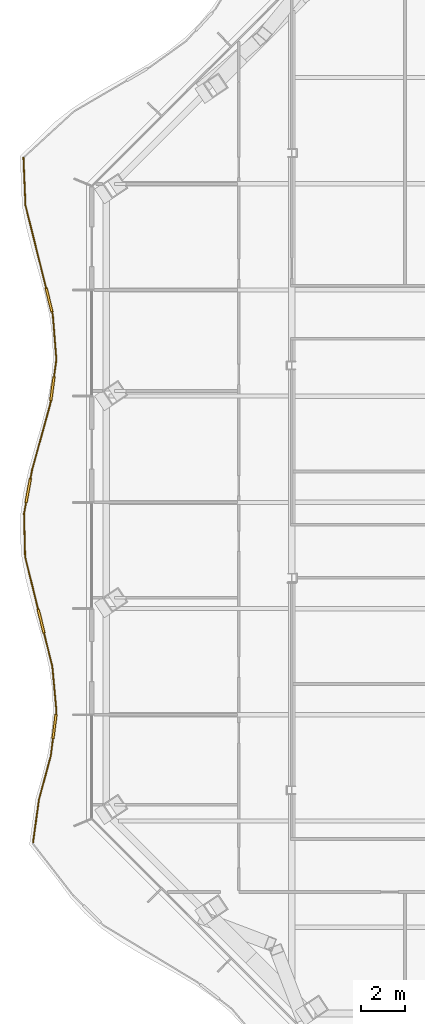
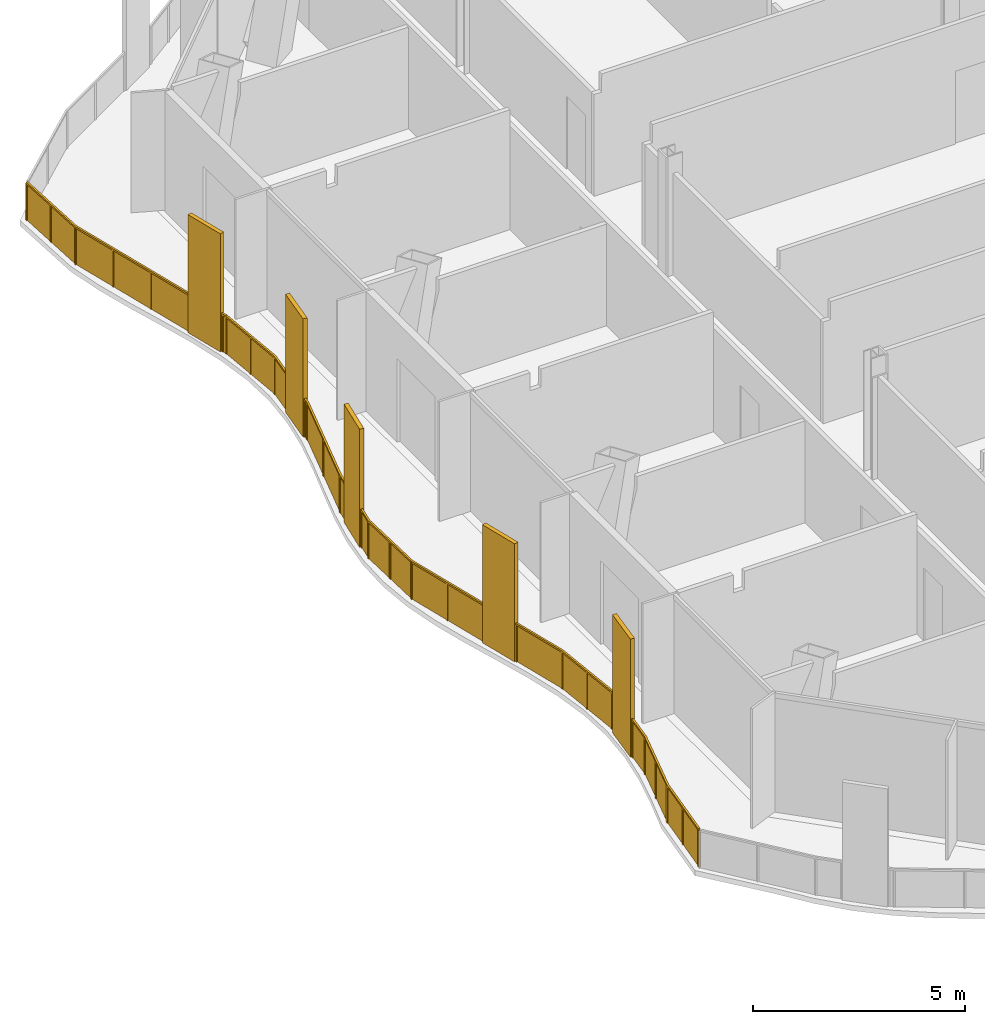
# One storey, part 16 of 22: 1 railing.
"""IFC4 building model written with IfcOpenShell, lengths in metres."""

import ifcopenshell
import ifcopenshell.guid

model = None  # the IFC model being written
_history = None  # IfcOwnerHistory: only IFC2X3 demands one
_inside = {}  # id of a spatial element -> (the spatial element, [elements in it])
_under = {}  # id of a project, library or spatial element -> (it, [spatial elements below it])
_declared = {}  # id of a project -> (the project, [libraries it declares])
_typed = {}  # id of a type object -> (the type object, [elements of that type])
_made_of = {}  # id of a material, layer set ... -> (it, [elements and type objects made of it])


def new_model(schema):
    """Start an empty IFC model of exactly this schema.

    Asked for "IFC4X3", IfcOpenShell would pick the latest addendum, in which some entities
    have other attributes; the version numbers below select the first issue.
    IFC2X3 requires an IfcOwnerHistory on every rooted entity: one is made here for all.
    """
    global model, _history
    if schema == "IFC4X3":
        model = ifcopenshell.file(schema_version=(4, 3, 0, 0))
    else:
        model = ifcopenshell.file(schema=schema)
    _inside.clear()
    _under.clear()
    _declared.clear()
    _typed.clear()
    _made_of.clear()
    _history = None
    if model.schema == "IFC2X3":
        org = make("IfcOrganization", Name="unknown")
        user = make(
            "IfcPersonAndOrganization",
            ThePerson=make("IfcPerson", FamilyName="unknown"),
            TheOrganization=org,
        )
        app = make(
            "IfcApplication",
            ApplicationDeveloper=org,
            Version="unknown",
            ApplicationFullName="unknown",
            ApplicationIdentifier="unknown",
        )
        _history = make(
            "IfcOwnerHistory",
            OwningUser=user,
            OwningApplication=app,
            ChangeAction="ADDED",
            CreationDate=0,
        )
    return model


def make(cls, **values):
    """One entity of the class cls with the attributes given. An attribute that is None is left unset."""
    return model.create_entity(
        cls, **{name: value for name, value in values.items() if value is not None}
    )


def rooted(cls, **values):
    """An entity with a GlobalId (a new one), such as an element, a storey or a relation."""
    return make(cls, GlobalId=ifcopenshell.guid.new(), OwnerHistory=_history, **values)


def si_unit(unit_type, name, prefix=None):
    """IfcSIUnit, for example si_unit("LENGTHUNIT", "METRE", prefix="MILLI")."""
    return make("IfcSIUnit", UnitType=unit_type, Prefix=prefix, Name=name)


def assignment(units):
    """IfcUnitAssignment: the units of a project."""
    return None if units is None else make("IfcUnitAssignment", Units=units)


def point(xyz):
    """IfcCartesianPoint."""
    return None if xyz is None else make("IfcCartesianPoint", Coordinates=xyz)


def direction(xyz):
    """IfcDirection."""
    return None if xyz is None else make("IfcDirection", DirectionRatios=xyz)


def frame(location, z_axis=None, x_axis=None):
    """IfcAxis2Placement3D, a coordinate frame: its origin and axes. An axis left out is left unset."""
    return make(
        "IfcAxis2Placement3D",
        Location=point(location),
        Axis=direction(z_axis),
        RefDirection=direction(x_axis),
    )


def frame_2d(location, x_axis=None):
    """IfcAxis2Placement2D, a coordinate frame in the plane: its origin and x axis."""
    return make(
        "IfcAxis2Placement2D", Location=point(location), RefDirection=direction(x_axis)
    )


def origin():
    """The frame at (0, 0, 0) with its axes left unset."""
    return frame((0.0, 0.0, 0.0))


def origin_2d():
    """The frame at (0, 0) in the plane with its x axis left unset."""
    return frame_2d((0.0, 0.0))


def place(relative_to, where):
    """IfcLocalPlacement: puts the frame where relative to a parent placement (None: the world)."""
    return make(
        "IfcLocalPlacement", PlacementRelTo=relative_to, RelativePlacement=where
    )


def context(
    kind, dimensions, precision=None, world=None, true_north=None, identifier=None
):
    """IfcGeometricRepresentationContext, for example the 3D "Model" context."""
    return make(
        "IfcGeometricRepresentationContext",
        ContextIdentifier=identifier,
        ContextType=kind,
        CoordinateSpaceDimension=dimensions,
        Precision=precision,
        WorldCoordinateSystem=world,
        TrueNorth=true_north,
    )


def subcontext(parent, identifier, kind, view, scale=None):
    """IfcGeometricRepresentationSubContext, for example "Body" below "Model"."""
    return make(
        "IfcGeometricRepresentationSubContext",
        ContextIdentifier=identifier,
        ContextType=kind,
        ParentContext=parent,
        TargetScale=scale,
        TargetView=view,
    )


def project(units=None, contexts=None):
    """IfcProject with its units and contexts."""
    return rooted(
        "IfcProject",
        Name="project",
        RepresentationContexts=contexts,
        UnitsInContext=assignment(units),
    )


def spatial(cls, under=None, at=None, **own):
    """A site, building, storey or space (cls), placed at a placement, below another one or the project."""
    s = rooted(cls, ObjectPlacement=at, **own)
    if under is not None:
        _under.setdefault(under.id(), (under, []))[1].append(s)
    return s


def polyline(points):
    """IfcPolyline through the points."""
    return make("IfcPolyline", Points=[point(p) for p in points])


def profile(cls, at=None, kind="AREA", **sizes):
    """A parametric profile (cls). Its sizes go by their IFC names, for example OverallWidth=200.0."""
    return make(cls, ProfileType=kind, Position=at, **sizes)


def rectangle(**sizes):
    """IfcRectangleProfileDef."""
    return profile("IfcRectangleProfileDef", **sizes)


def outline(outer, holes=None, kind="AREA"):
    """IfcArbitraryClosedProfileDef: a profile drawn as a closed curve; with holes, ...WithVoids."""
    if holes is None:
        return make("IfcArbitraryClosedProfileDef", ProfileType=kind, OuterCurve=outer)
    return make(
        "IfcArbitraryProfileDefWithVoids",
        ProfileType=kind,
        OuterCurve=outer,
        InnerCurves=holes,
    )


def extrude(swept, where, along, depth):
    """IfcExtrudedAreaSolid: the profile swept, set in the frame where, extruded along a direction by depth."""
    return make(
        "IfcExtrudedAreaSolid",
        SweptArea=swept,
        Position=where,
        ExtrudedDirection=direction(along),
        Depth=depth,
    )


def shape(context_of_items, identifier, shape_type, items):
    """IfcShapeRepresentation: the items that make up one representation, for example the "Body"."""
    return make(
        "IfcShapeRepresentation",
        ContextOfItems=context_of_items,
        RepresentationIdentifier=identifier,
        RepresentationType=shape_type,
        Items=items,
    )


def material(Name=None, Category=None):
    """IfcMaterial."""
    return make("IfcMaterial", Name=Name, Category=Category)


def made_of(thing, what):
    """Note that an element or type object is made of a material, layer set ...; save() writes the relation."""
    if what is not None:
        _made_of.setdefault(what.id(), (what, []))[1].append(thing)
    return thing


def type_object(cls, material=None, **own):
    """A type object (cls), such as IfcWallType, which elements share."""
    return made_of(rooted(cls, **own), material)


def element(
    cls,
    number,
    at=None,
    inside=None,
    cuts=None,
    type_object=None,
    material=None,
    context=None,
    identifier="Body",
    shape_type=None,
    held_by="IfcProductDefinitionShape",
    body=None,
    shapes=None,
    **own,
):
    """One element of the class cls, such as IfcWall. Its Tag is "e" and its number.

    at: its placement. inside: the storey or other place that contains it. cuts: it is an
    opening in that element (IfcRelVoidsElement). A single representation is given by context,
    identifier, shape_type and body (its items); several are given by shapes. held_by: the class
    of the entity that holds the representations. save() writes the other relations.
    """
    e = rooted(cls, Tag="e%d" % number, ObjectPlacement=at, **own)
    if body is not None:
        shapes = [shape(context, identifier, shape_type, body)]
    if shapes is not None:
        e.Representation = make(held_by, Representations=shapes)
    if inside is not None:
        _inside.setdefault(inside.id(), (inside, []))[1].append(e)
    if cuts is not None:
        rooted(
            "IfcRelVoidsElement", RelatingBuildingElement=cuts, RelatedOpeningElement=e
        )
    if type_object is not None:
        _typed.setdefault(type_object.id(), (type_object, []))[1].append(e)
    return made_of(e, material)


def aggregate(whole, parts):
    """IfcRelAggregates: a whole, such as a stair, and the parts it consists of."""
    return rooted("IfcRelAggregates", RelatingObject=whole, RelatedObjects=parts)


def save(model, path):
    """Write the relations noted so far, then the file.

    IfcRelAggregates (storeys below a building ...), IfcRelContainedInSpatialStructure (elements
    in a storey), IfcRelDefinesByType, IfcRelAssociatesMaterial and IfcRelDeclares: one each for
    every whole, place, type object, material and project.
    """
    for whole, parts in _under.values():
        aggregate(whole, parts)
    for where, things in _inside.values():
        rooted(
            "IfcRelContainedInSpatialStructure",
            RelatedElements=things,
            RelatingStructure=where,
        )
    for kind, things in _typed.values():
        rooted("IfcRelDefinesByType", RelatedObjects=things, RelatingType=kind)
    for what, things in _made_of.values():
        rooted("IfcRelAssociatesMaterial", RelatedObjects=things, RelatingMaterial=what)
    for by, libraries in _declared.values():
        rooted("IfcRelDeclares", RelatingContext=by, RelatedDefinitions=libraries)
    model.write(path)


model = new_model("IFC4")

# Units and contexts
model_context = context("Model", 3, precision=1e-05, world=origin(), true_north=direction((0.0, 1.0)))
body_context = subcontext(model_context, "Body", "Model", "MODEL_VIEW")
ifc_project = project(units=[si_unit("LENGTHUNIT", "METRE"), si_unit("AREAUNIT", "SQUARE_METRE"), si_unit("VOLUMEUNIT", "CUBIC_METRE"), si_unit("PLANEANGLEUNIT", "RADIAN"), si_unit("MASSUNIT", "GRAM", prefix="KILO")], contexts=[model_context])

# Site, building, storey
site_placement = place(None, origin())
site = spatial("IfcSite", under=ifc_project, at=site_placement, CompositionType="ELEMENT")
building_placement = place(site_placement, origin())
building = spatial("IfcBuilding", under=site, at=building_placement, Name="Cairn Pilgrim Tower", CompositionType="ELEMENT")
storey_placement = place(building_placement, frame((0.0, 0.0, 105.0)))
storey = spatial("IfcBuildingStorey", under=building, at=storey_placement, Name="L25", CompositionType="ELEMENT", Elevation=105.0)

# Railing
ifc_material = material(Name="Bronze anodised aluminium rail, posts and fin screens with laminated glass infill", Category="aluminium")
railing_type = type_object("IfcRailingType", Name="BALCONY GUARD WITH FIN SCREENS", PredefinedType="GUARDRAIL", material=ifc_material)
railing_placement = place(storey_placement, frame((-26.528076171875, 18.985107421875, 0.0)))
element("IfcRailing", 1, at=railing_placement, inside=storey, type_object=railing_type, Name="Balcony guard BGF-7 with fin screens", PredefinedType="GUARDRAIL", context=body_context, shape_type="SweptSolid", body=[
    extrude(rectangle(XDim=0.050048828125, YDim=0.050048828125, at=origin_2d()), frame((0.0, 0.0, 1.0751953125), z_axis=(0.041446342412, -0.999140731179, 0.0), x_axis=(0.999140731179, 0.041446342412, 0.0)), (0.0, 0.0, 1.0), 2.150146484375),
    extrude(rectangle(XDim=1.10009765625, YDim=0.110107421875, at=origin_2d()), frame((1.156982421875, -6.431640625, 0.0), z_axis=(0.0, 0.0, 1.0), x_axis=(0.241917836835, -0.970296738231, 0.0)), (0.0, 0.0, 1.0), 3.39990234375),
    extrude(rectangle(XDim=0.050048828125, YDim=0.050048828125, at=origin_2d()), frame((0.089111328125, -2.148193359375, 1.0751953125), z_axis=(0.241917836835, -0.970296738231, 0.0), x_axis=(0.970296738231, 0.241917836835, 0.0)), (0.0, 0.0, 1.0), 3.86474609375),
    extrude(rectangle(XDim=0.050048828125, YDim=0.050048828125, at=origin_2d()), frame((1.2900390625, -6.96533203125, 1.0751953125), z_axis=(0.241917836835, -0.970296738231, 0.0), x_axis=(0.970296738231, 0.241917836835, 0.0)), (0.0, 0.0, 1.0), 0.14990234375),
    extrude(rectangle(XDim=0.050048828125, YDim=0.050048828125, at=origin_2d()), frame((1.326416015625, -7.11083984375, 1.0751953125), z_axis=(0.079726017658, -0.99681681472, 0.0), x_axis=(0.99681681472, 0.079726017658, 0.0)), (0.0, 0.0, 1.0), 2.02099609375),
    extrude(rectangle(XDim=1.10009765625, YDim=0.110107421875, at=origin_2d()), frame((1.306640625, -10.4443359375, 0.0), z_axis=(0.0, 0.0, 1.0), x_axis=(-0.135815788116, -0.990734107467, 0.0)), (0.0, 0.0, 1.0), 3.39990234375),
    extrude(rectangle(XDim=0.050048828125, YDim=0.050048828125, at=origin_2d()), frame((1.487548828125, -9.12548828125, 1.0751953125), z_axis=(-0.135815788116, -0.990734107467, 0.0), x_axis=(0.990734107467, -0.135815788116, 0.0)), (0.0, 0.0, 1.0), 0.78125),
    extrude(rectangle(XDim=0.050048828125, YDim=0.050048828125, at=origin_2d()), frame((1.23193359375, -10.9892578125, 1.0751953125), z_axis=(-0.135815788116, -0.990734107467, 0.0), x_axis=(0.990734107467, -0.135815788116, 0.0)), (0.0, 0.0, 1.0), 0.150146484375),
    extrude(rectangle(XDim=0.050048828125, YDim=0.050048828125, at=origin_2d()), frame((1.211669921875, -11.137939453125, 1.0751953125), z_axis=(-0.2666671389, -0.963788688993, 0.0), x_axis=(0.963788688993, -0.2666671389, 0.0)), (0.0, 0.0, 1.0), 3.094482421875),
    extrude(rectangle(XDim=1.10009765625, YDim=0.110107421875, at=origin_2d()), frame((0.216064453125, -15.048583984375, 0.0), z_axis=(0.0, 0.0, 1.0), x_axis=(-0.180649107337, -0.983547609431, 0.0)), (0.0, 0.0, 1.0), 3.39990234375),
    extrude(rectangle(XDim=0.050048828125, YDim=0.050048828125, at=origin_2d()), frame((0.386474609375, -14.120361328125, 1.0751953125), z_axis=(-0.180649107337, -0.983547609431, 0.0), x_axis=(0.983547609431, -0.180649107337, 0.0)), (0.0, 0.0, 1.0), 0.393798828125),
    extrude(rectangle(XDim=0.050048828125, YDim=0.050048828125, at=origin_2d()), frame((0.11669921875, -15.589599609375, 1.0751953125), z_axis=(-0.180649107337, -0.983547609431, 0.0), x_axis=(0.983547609431, -0.180649107337, 0.0)), (0.0, 0.0, 1.0), 0.503662109375),
    extrude(rectangle(XDim=0.050048828125, YDim=0.050048828125, at=origin_2d()), frame((0.025634765625, -16.0849609375, 1.0751953125), z_axis=(0.024730065555, -0.999694165161, 0.0), x_axis=(0.999694165161, 0.024730065555, 0.0)), (0.0, 0.0, 1.0), 1.95458984375),
    extrude(rectangle(XDim=1.10009765625, YDim=0.110107421875, at=origin_2d()), frame((0.795654296875, -20.9462890625, 0.0), z_axis=(0.0, 0.0, 1.0), x_axis=(0.240928130653, -0.970542959307, 0.0)), (0.0, 0.0, 1.0), 3.39990234375),
    extrude(rectangle(XDim=0.050048828125, YDim=0.050048828125, at=origin_2d()), frame((0.073974609375, -18.0390625, 1.0751953125), z_axis=(0.240928130653, -0.970542959307, 0.0), x_axis=(0.970542959307, 0.240928130653, 0.0)), (0.0, 0.0, 1.0), 2.445556640625),
    extrude(rectangle(XDim=0.050048828125, YDim=0.050048828125, at=origin_2d()), frame((0.92822265625, -21.480224609375, 1.0751953125), z_axis=(0.240928130653, -0.970542959307, 0.0), x_axis=(0.970542959307, 0.240928130653, 0.0)), (0.0, 0.0, 1.0), 1.565673828125),
    extrude(rectangle(XDim=0.050048828125, YDim=0.050048828125, at=origin_2d()), frame((1.305419921875, -22.999755859375, 1.0751953125), z_axis=(0.091395695169, -0.995814654895, 0.0), x_axis=(0.995814654895, 0.091395695169, 0.0)), (0.0, 0.0, 1.0), 2.022216796875),
    extrude(rectangle(XDim=1.10009765625, YDim=0.110107421875, at=origin_2d()), frame((1.40283203125, -25.7080078125, 0.0), z_axis=(0.0, 0.0, 1.0), x_axis=(-0.124908509177, -0.992168264124, 0.0)), (0.0, 0.0, 1.0), 3.39990234375),
    extrude(rectangle(XDim=0.050048828125, YDim=0.050048828125, at=origin_2d()), frame((1.490234375, -25.013427734375, 1.0751953125), z_axis=(-0.124908509177, -0.992168264124, 0.0), x_axis=(0.992168264124, -0.124908509177, 0.0)), (0.0, 0.0, 1.0), 0.150146484375),
    extrude(rectangle(XDim=0.050048828125, YDim=0.050048828125, at=origin_2d()), frame((1.333984375, -26.253662109375, 1.0751953125), z_axis=(-0.124908509177, -0.992168264124, 0.0), x_axis=(0.992168264124, -0.124908509177, 0.0)), (0.0, 0.0, 1.0), 0.77880859375),
    extrude(rectangle(XDim=0.050048828125, YDim=0.050048828125, at=origin_2d()), frame((1.23681640625, -27.0263671875, 1.0751953125), z_axis=(-0.261631855622, -0.965167742998, 0.0), x_axis=(0.965167742998, -0.261631855622, 0.0)), (0.0, 0.0, 1.0), 2.05859375),
    extrude(rectangle(XDim=0.050048828125, YDim=0.050048828125, at=origin_2d()), frame((0.6982421875, -29.01318359375, 1.0751953125), z_axis=(-0.135566913503, -0.99076819285, 0.0), x_axis=(0.99076819285, -0.135566913503, 0.0)), (0.0, 0.0, 1.0), 1.945068359375),
    extrude(rectangle(XDim=0.050048828125, YDim=0.050048828125, at=origin_2d()), origin(), (0.0, 0.0, 1.0), 1.050048828125),
    extrude(rectangle(XDim=0.050048828125, YDim=0.050048828125, at=origin_2d()), frame((0.04443359375, -1.07421875, 0.0)), (0.0, 0.0, 1.0), 1.050048828125),
    extrude(rectangle(XDim=0.050048828125, YDim=0.050048828125, at=origin_2d()), frame((0.089111328125, -2.148193359375, 0.0)), (0.0, 0.0, 1.0), 1.050048828125),
    extrude(rectangle(XDim=0.050048828125, YDim=0.050048828125, at=origin_2d()), frame((0.398681640625, -3.39013671875, 0.0)), (0.0, 0.0, 1.0), 1.050048828125),
    extrude(rectangle(XDim=0.050048828125, YDim=0.050048828125, at=origin_2d()), frame((0.708251953125, -4.6318359375, 0.0)), (0.0, 0.0, 1.0), 1.050048828125),
    extrude(rectangle(XDim=0.050048828125, YDim=0.050048828125, at=origin_2d()), frame((1.01806640625, -5.873779296875, 0.0)), (0.0, 0.0, 1.0), 1.050048828125),
    extrude(rectangle(XDim=0.050048828125, YDim=0.050048828125, at=origin_2d()), frame((1.296142578125, -6.98974609375, 0.0)), (0.0, 0.0, 1.0), 1.050048828125),
    extrude(rectangle(XDim=0.050048828125, YDim=0.050048828125, at=origin_2d()), frame((1.326416015625, -7.11083984375, 0.0)), (0.0, 0.0, 1.0), 1.050048828125),
    extrude(rectangle(XDim=0.050048828125, YDim=0.050048828125, at=origin_2d()), frame((1.406982421875, -8.1181640625, 0.0)), (0.0, 0.0, 1.0), 1.050048828125),
    extrude(rectangle(XDim=0.050048828125, YDim=0.050048828125, at=origin_2d()), frame((1.487548828125, -9.12548828125, 0.0)), (0.0, 0.0, 1.0), 1.050048828125),
    extrude(rectangle(XDim=0.050048828125, YDim=0.050048828125, at=origin_2d()), frame((1.384765625, -9.874755859375, 0.0)), (0.0, 0.0, 1.0), 1.050048828125),
    extrude(rectangle(XDim=0.050048828125, YDim=0.050048828125, at=origin_2d()), frame((1.228759765625, -11.01416015625, 0.0)), (0.0, 0.0, 1.0), 1.050048828125),
    extrude(rectangle(XDim=0.050048828125, YDim=0.050048828125, at=origin_2d()), frame((1.211669921875, -11.137939453125, 0.0)), (0.0, 0.0, 1.0), 1.050048828125),
    extrude(rectangle(XDim=0.050048828125, YDim=0.050048828125, at=origin_2d()), frame((0.799072265625, -12.629150390625, 0.0)), (0.0, 0.0, 1.0), 1.050048828125),
    extrude(rectangle(XDim=0.050048828125, YDim=0.050048828125, at=origin_2d()), frame((0.386474609375, -14.120361328125, 0.0)), (0.0, 0.0, 1.0), 1.050048828125),
    extrude(rectangle(XDim=0.050048828125, YDim=0.050048828125, at=origin_2d()), frame((0.31982421875, -14.48291015625, 0.0)), (0.0, 0.0, 1.0), 1.050048828125),
    extrude(rectangle(XDim=0.050048828125, YDim=0.050048828125, at=origin_2d()), frame((0.112060546875, -15.6142578125, 0.0)), (0.0, 0.0, 1.0), 1.050048828125),
    extrude(rectangle(XDim=0.050048828125, YDim=0.050048828125, at=origin_2d()), frame((0.025634765625, -16.0849609375, 0.0)), (0.0, 0.0, 1.0), 1.050048828125),
    extrude(rectangle(XDim=0.050048828125, YDim=0.050048828125, at=origin_2d()), frame((0.0498046875, -17.06201171875, 0.0)), (0.0, 0.0, 1.0), 1.050048828125),
    extrude(rectangle(XDim=0.050048828125, YDim=0.050048828125, at=origin_2d()), frame((0.073974609375, -18.0390625, 0.0)), (0.0, 0.0, 1.0), 1.050048828125),
    extrude(rectangle(XDim=0.050048828125, YDim=0.050048828125, at=origin_2d()), frame((0.365478515625, -19.213623046875, 0.0)), (0.0, 0.0, 1.0), 1.050048828125),
    extrude(rectangle(XDim=0.050048828125, YDim=0.050048828125, at=origin_2d()), frame((0.6572265625, -20.38818359375, 0.0)), (0.0, 0.0, 1.0), 1.050048828125),
    extrude(rectangle(XDim=0.050048828125, YDim=0.050048828125, at=origin_2d()), frame((0.934326171875, -21.50439453125, 0.0)), (0.0, 0.0, 1.0), 1.050048828125),
    extrude(rectangle(XDim=0.050048828125, YDim=0.050048828125, at=origin_2d()), frame((1.305419921875, -22.999755859375, 0.0)), (0.0, 0.0, 1.0), 1.050048828125),
    extrude(rectangle(XDim=0.050048828125, YDim=0.050048828125, at=origin_2d()), frame((1.39794921875, -24.006591796875, 0.0)), (0.0, 0.0, 1.0), 1.050048828125),
    extrude(rectangle(XDim=0.050048828125, YDim=0.050048828125, at=origin_2d()), frame((1.490234375, -25.013427734375, 0.0)), (0.0, 0.0, 1.0), 1.050048828125),
    extrude(rectangle(XDim=0.050048828125, YDim=0.050048828125, at=origin_2d()), frame((1.474609375, -25.137451171875, 0.0)), (0.0, 0.0, 1.0), 1.050048828125),
    extrude(rectangle(XDim=0.050048828125, YDim=0.050048828125, at=origin_2d()), frame((1.3310546875, -26.278564453125, 0.0)), (0.0, 0.0, 1.0), 1.050048828125),
    extrude(rectangle(XDim=0.050048828125, YDim=0.050048828125, at=origin_2d()), frame((1.23681640625, -27.0263671875, 0.0)), (0.0, 0.0, 1.0), 1.050048828125),
    extrude(rectangle(XDim=0.050048828125, YDim=0.050048828125, at=origin_2d()), frame((0.967529296875, -28.019775390625, 0.0)), (0.0, 0.0, 1.0), 1.050048828125),
    extrude(rectangle(XDim=0.050048828125, YDim=0.050048828125, at=origin_2d()), frame((0.6982421875, -29.01318359375, 0.0)), (0.0, 0.0, 1.0), 1.050048828125),
    extrude(rectangle(XDim=0.050048828125, YDim=0.050048828125, at=origin_2d()), frame((0.56640625, -29.9765625, 0.0)), (0.0, 0.0, 1.0), 1.050048828125),
    extrude(rectangle(XDim=0.050048828125, YDim=0.050048828125, at=origin_2d()), frame((0.4345703125, -30.940185546875, 0.0)), (0.0, 0.0, 1.0), 1.050048828125),
    extrude(outline(polyline([(0.02490234375, 0.0), (1.050048828125, 0.0), (1.050048828125, 1.050048828125), (0.02490234375, 1.050048828125), (0.02490234375, 0.0)])), frame((0.005859375, 0.000244140625, 0.0), z_axis=(-0.999140731179, -0.041446342412, 0.0), x_axis=(0.041446342412, -0.999140731179, 0.0)), (0.0, 0.0, 1.0), 0.011962890625),
    extrude(outline(polyline([(0.02490234375, 0.0), (1.050048828125, 0.0), (1.050048828125, 1.050048828125), (0.02490234375, 1.050048828125), (0.02490234375, 0.0)])), frame((0.050537109375, -1.07373046875, 0.0), z_axis=(-0.999140731179, -0.041446342412, 0.0), x_axis=(0.041446342412, -0.999140731179, 0.0)), (0.0, 0.0, 1.0), 0.011962890625),
    extrude(outline(polyline([(0.02490234375, 0.0), (1.2548828125, 0.0), (1.2548828125, 1.050048828125), (0.02490234375, 1.050048828125), (0.02490234375, 0.0)])), frame((0.094970703125, -2.146728515625, 0.0), z_axis=(-0.970296738231, -0.241917836835, 0.0), x_axis=(0.241917836835, -0.970296738231, 0.0)), (0.0, 0.0, 1.0), 0.011962890625),
    extrude(outline(polyline([(0.02490234375, 0.0), (1.2548828125, 0.0), (1.2548828125, 1.050048828125), (0.02490234375, 1.050048828125), (0.02490234375, 0.0)])), frame((0.404541015625, -3.388671875, 0.0), z_axis=(-0.970296738231, -0.241917836835, 0.0), x_axis=(0.241917836835, -0.970296738231, 0.0)), (0.0, 0.0, 1.0), 0.011962890625),
    extrude(outline(polyline([(0.02490234375, 0.0), (1.2548828125, 0.0), (1.2548828125, 1.050048828125), (0.02490234375, 1.050048828125), (0.02490234375, 0.0)])), frame((0.714111328125, -4.63037109375, 0.0), z_axis=(-0.970296738231, -0.241917836835, 0.0), x_axis=(0.241917836835, -0.970296738231, 0.0)), (0.0, 0.0, 1.0), 0.011962890625),
    extrude(outline(polyline([(0.02490234375, 0.0), (0.099853515625, 0.0), (0.099853515625, 1.050048828125), (0.02490234375, 1.050048828125), (0.02490234375, 0.0)])), frame((1.302001953125, -6.98828125, 0.0), z_axis=(-0.970296738231, -0.241917836835, 0.0), x_axis=(0.241917836835, -0.970296738231, 0.0)), (0.0, 0.0, 1.0), 0.011962890625),
    extrude(outline(polyline([(0.02490234375, 0.0), (0.985595703125, 0.0), (0.985595703125, 1.050048828125), (0.02490234375, 1.050048828125), (0.02490234375, 0.0)])), frame((1.332275390625, -7.1103515625, 0.0), z_axis=(-0.99681681472, -0.079726017658, 0.0), x_axis=(0.079726017658, -0.99681681472, 0.0)), (0.0, 0.0, 1.0), 0.011962890625),
    extrude(outline(polyline([(0.02490234375, 0.0), (0.985595703125, 0.0), (0.985595703125, 1.050048828125), (0.02490234375, 1.050048828125), (0.02490234375, 0.0)])), frame((1.412841796875, -8.11767578125, 0.0), z_axis=(-0.99681681472, -0.079726017658, 0.0), x_axis=(0.079726017658, -0.99681681472, 0.0)), (0.0, 0.0, 1.0), 0.011962890625),
    extrude(outline(polyline([(0.02490234375, 0.0), (0.731201171875, 0.0), (0.731201171875, 1.050048828125), (0.02490234375, 1.050048828125), (0.02490234375, 0.0)])), frame((1.493408203125, -9.126220703125, 0.0), z_axis=(-0.990734107467, 0.135815788116, 0.0), x_axis=(-0.135815788116, -0.990734107467, 0.0)), (0.0, 0.0, 1.0), 0.011962890625),
    extrude(outline(polyline([(0.02490234375, 0.0), (0.10009765625, 0.0), (0.10009765625, 1.050048828125), (0.02490234375, 1.050048828125), (0.02490234375, 0.0)])), frame((1.234619140625, -11.014892578125, 0.0), z_axis=(-0.990734107467, 0.135815788116, 0.0), x_axis=(-0.135815788116, -0.990734107467, 0.0)), (0.0, 0.0, 1.0), 0.011962890625),
    extrude(outline(polyline([(0.02490234375, 0.0), (1.522216796875, 0.0), (1.522216796875, 1.050048828125), (0.02490234375, 1.050048828125), (0.02490234375, 0.0)])), frame((1.217529296875, -11.1396484375, 0.0), z_axis=(-0.963788688993, 0.2666671389, 0.0), x_axis=(-0.2666671389, -0.963788688993, 0.0)), (0.0, 0.0, 1.0), 0.011962890625),
    extrude(outline(polyline([(0.02490234375, 0.0), (1.522216796875, 0.0), (1.522216796875, 1.050048828125), (0.02490234375, 1.050048828125), (0.02490234375, 0.0)])), frame((0.804931640625, -12.630859375, 0.0), z_axis=(-0.963788688993, 0.2666671389, 0.0), x_axis=(-0.2666671389, -0.963788688993, 0.0)), (0.0, 0.0, 1.0), 0.011962890625),
    extrude(outline(polyline([(0.02490234375, 0.0), (0.34375, 0.0), (0.34375, 1.050048828125), (0.02490234375, 1.050048828125), (0.02490234375, 0.0)])), frame((0.392333984375, -14.121337890625, 0.0), z_axis=(-0.983547609431, 0.180649107337, 0.0), x_axis=(-0.180649107337, -0.983547609431, 0.0)), (0.0, 0.0, 1.0), 0.011962890625),
    extrude(outline(polyline([(0.02490234375, 0.0), (0.45361328125, 0.0), (0.45361328125, 1.050048828125), (0.02490234375, 1.050048828125), (0.02490234375, 0.0)])), frame((0.117919921875, -15.615234375, 0.0), z_axis=(-0.983547609431, 0.180649107337, 0.0), x_axis=(-0.180649107337, -0.983547609431, 0.0)), (0.0, 0.0, 1.0), 0.011962890625),
    extrude(outline(polyline([(0.02490234375, 0.0), (0.952392578125, 0.0), (0.952392578125, 1.050048828125), (0.02490234375, 1.050048828125), (0.02490234375, 0.0)])), frame((0.031494140625, -16.084716796875, 0.0), z_axis=(-0.999694165161, -0.024730065555, 0.0), x_axis=(0.024730065555, -0.999694165161, 0.0)), (0.0, 0.0, 1.0), 0.011962890625),
    extrude(outline(polyline([(0.02490234375, 0.0), (0.952392578125, 0.0), (0.952392578125, 1.050048828125), (0.02490234375, 1.050048828125), (0.02490234375, 0.0)])), frame((0.0556640625, -17.061767578125, 0.0), z_axis=(-0.999694165161, -0.024730065555, 0.0), x_axis=(0.024730065555, -0.999694165161, 0.0)), (0.0, 0.0, 1.0), 0.011962890625),
    extrude(outline(polyline([(0.02490234375, 0.0), (1.185302734375, 0.0), (1.185302734375, 1.050048828125), (0.02490234375, 1.050048828125), (0.02490234375, 0.0)])), frame((0.079833984375, -18.03759765625, 0.0), z_axis=(-0.970542959307, -0.240928130653, 0.0), x_axis=(0.240928130653, -0.970542959307, 0.0)), (0.0, 0.0, 1.0), 0.011962890625),
    extrude(outline(polyline([(0.02490234375, 0.0), (1.185302734375, 0.0), (1.185302734375, 1.050048828125), (0.02490234375, 1.050048828125), (0.02490234375, 0.0)])), frame((0.371337890625, -19.212158203125, 0.0), z_axis=(-0.970542959307, -0.240928130653, 0.0), x_axis=(0.240928130653, -0.970542959307, 0.0)), (0.0, 0.0, 1.0), 0.011962890625),
    extrude(outline(polyline([(0.02490234375, 0.0), (1.515625, 0.0), (1.515625, 1.050048828125), (0.02490234375, 1.050048828125), (0.02490234375, 0.0)])), frame((0.93994140625, -21.5029296875, 0.0), z_axis=(-0.970542959307, -0.240928130653, 0.0), x_axis=(0.240928130653, -0.970542959307, 0.0)), (0.0, 0.0, 1.0), 0.011962890625),
    extrude(outline(polyline([(0.02490234375, 0.0), (0.986083984375, 0.0), (0.986083984375, 1.050048828125), (0.02490234375, 1.050048828125), (0.02490234375, 0.0)])), frame((1.311279296875, -22.999267578125, 0.0), z_axis=(-0.995814654895, -0.091395695169, 0.0), x_axis=(0.091395695169, -0.995814654895, 0.0)), (0.0, 0.0, 1.0), 0.011962890625),
    extrude(outline(polyline([(0.02490234375, 0.0), (0.986083984375, 0.0), (0.986083984375, 1.050048828125), (0.02490234375, 1.050048828125), (0.02490234375, 0.0)])), frame((1.40380859375, -24.006103515625, 0.0), z_axis=(-0.995814654895, -0.091395695169, 0.0), x_axis=(0.091395695169, -0.995814654895, 0.0)), (0.0, 0.0, 1.0), 0.011962890625),
    extrude(outline(polyline([(0.02490234375, 0.0), (0.10009765625, 0.0), (0.10009765625, 1.050048828125), (0.02490234375, 1.050048828125), (0.02490234375, 0.0)])), frame((1.49609375, -25.01416015625, 0.0), z_axis=(-0.992168264124, 0.124908509177, 0.0), x_axis=(-0.124908509177, -0.992168264124, 0.0)), (0.0, 0.0, 1.0), 0.011962890625),
    extrude(outline(polyline([(0.02490234375, 0.0), (0.728759765625, 0.0), (0.728759765625, 1.050048828125), (0.02490234375, 1.050048828125), (0.02490234375, 0.0)])), frame((1.3369140625, -26.279296875, 0.0), z_axis=(-0.992168264124, 0.124908509177, 0.0), x_axis=(-0.124908509177, -0.992168264124, 0.0)), (0.0, 0.0, 1.0), 0.011962890625),
    extrude(outline(polyline([(0.02490234375, 0.0), (1.004150390625, 0.0), (1.004150390625, 1.050048828125), (0.02490234375, 1.050048828125), (0.02490234375, 0.0)])), frame((1.24267578125, -27.02783203125, 0.0), z_axis=(-0.965167742998, 0.261631855622, 0.0), x_axis=(-0.261631855622, -0.965167742998, 0.0)), (0.0, 0.0, 1.0), 0.011962890625),
    extrude(outline(polyline([(0.02490234375, 0.0), (1.004150390625, 0.0), (1.004150390625, 1.050048828125), (0.02490234375, 1.050048828125), (0.02490234375, 0.0)])), frame((0.973388671875, -28.021240234375, 0.0), z_axis=(-0.965167742998, 0.261631855622, 0.0), x_axis=(-0.261631855622, -0.965167742998, 0.0)), (0.0, 0.0, 1.0), 0.011962890625),
    extrude(outline(polyline([(0.02490234375, 0.0), (0.947509765625, 0.0), (0.947509765625, 1.050048828125), (0.02490234375, 1.050048828125), (0.02490234375, 0.0)])), frame((0.7041015625, -29.013916015625, 0.0), z_axis=(-0.99076819285, 0.135566913503, 0.0), x_axis=(-0.135566913503, -0.99076819285, 0.0)), (0.0, 0.0, 1.0), 0.011962890625),
    extrude(outline(polyline([(0.02490234375, 0.0), (0.947509765625, 0.0), (0.947509765625, 1.050048828125), (0.02490234375, 1.050048828125), (0.02490234375, 0.0)])), frame((0.572265625, -29.9775390625, 0.0), z_axis=(-0.99076819285, 0.135566913503, 0.0), x_axis=(-0.135566913503, -0.99076819285, 0.0)), (0.0, 0.0, 1.0), 0.011962890625),
])

save(model, "model.ifc")
